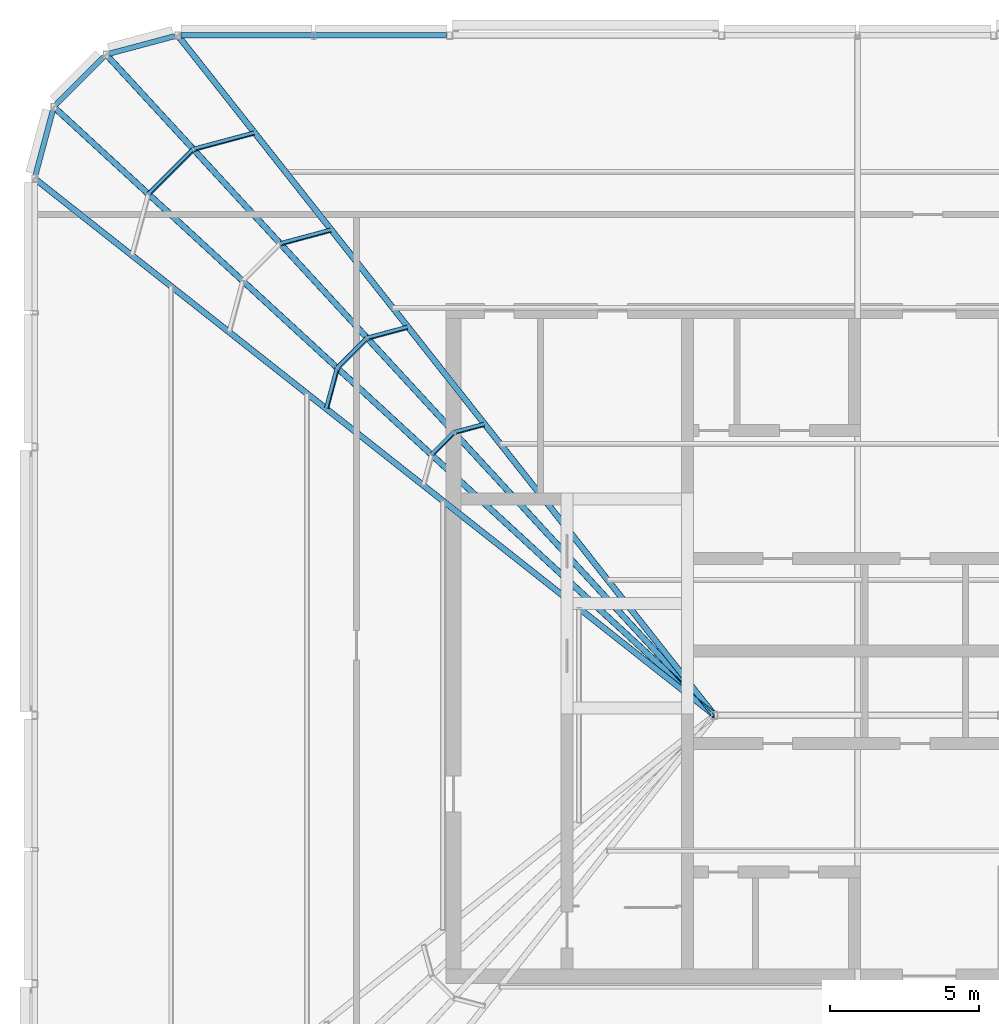
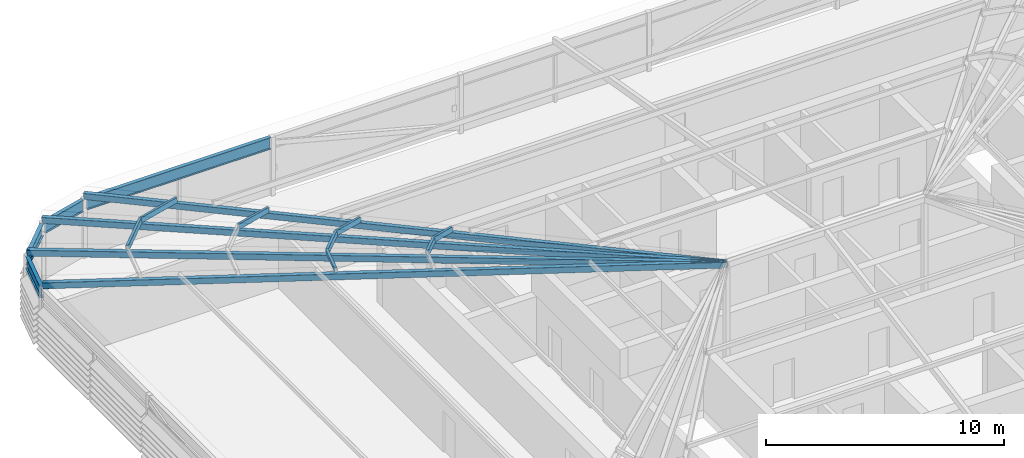
# One storey, part 15 of 46: 12 members, 4 beams.
"""IFC4 building model written with IfcOpenShell, lengths in metres."""

from ifc_helpers import new_model, si_unit, direction, frame, origin, origin_2d, place, context, subcontext, project, spatial, hollow_rectangle, i_section, extrude, material, material_profile, profile_set, type_object, element, save


model = new_model("IFC4")

# Units and contexts
model_context = context("Model", 3, precision=1e-05, world=origin(), true_north=direction((0.0, 1.0)))
body_context = subcontext(model_context, "Body", "Model", "MODEL_VIEW")
ifc_project = project(units=[si_unit("LENGTHUNIT", "METRE"), si_unit("AREAUNIT", "SQUARE_METRE"), si_unit("VOLUMEUNIT", "CUBIC_METRE"), si_unit("PLANEANGLEUNIT", "RADIAN"), si_unit("MASSUNIT", "GRAM", prefix="KILO")], contexts=[model_context])

# Site, building, storey
site_placement = place(None, origin())
site = spatial("IfcSite", under=ifc_project, at=site_placement, CompositionType="ELEMENT")
building_placement = place(site_placement, origin())
building = spatial("IfcBuilding", under=site, at=building_placement, Name="Madar Terraces", CompositionType="ELEMENT")
storey_placement = place(building_placement, frame((0.0, 0.0, 317.300048828125)))
storey = spatial("IfcBuildingStorey", under=building, at=storey_placement, Name="L82", CompositionType="ELEMENT", Elevation=317.300048828125)

# Beams
ifc_material_1 = material(Name="Steel ASTM A992 Grade 50", Category="steel")
ifc_material_profile_1 = material_profile(ifc_material_1, i_section(OverallWidth=0.1787109375, OverallDepth=0.60205078125, WebThickness=0.010986328125, FlangeThickness=0.014892578125, at=origin_2d()), Name="W24x62")
ifc_profile_set_1 = profile_set([ifc_material_profile_1], Name="Steel ASTM A992 Grade 50")
beam_type = type_object("IfcBeamType", Name="CF2 W24x62", PredefinedType="BEAM", material=ifc_profile_set_1)
beam_1_placement = place(storey_placement, frame((15.018310546875, 46.800048828125, 2.698974609375), z_axis=(-1.0, 0.0, 0.0), x_axis=(0.0, -1.0, 0.0)))
element("IfcBeam", 1, at=beam_1_placement, inside=storey, type_object=beam_type, Name="Crown frame ring beam CF2", PredefinedType="BEAM", context=body_context, shape_type="SweptSolid", body=[
    extrude(i_section(OverallWidth=0.1787109375, OverallDepth=0.60205078125, WebThickness=0.010986328125, FlangeThickness=0.014892578125, at=origin_2d()), origin(), (0.0, 0.0, 1.0), 8.916748046875),
])
beam_2_placement = place(storey_placement, frame((5.90185546875, 46.773681640625, 2.698974609375), z_axis=(-0.965912700012, -0.258868028067, 0.0), x_axis=(0.258868028067, -0.965912700012, 0.0)))
element("IfcBeam", 2, at=beam_2_placement, inside=storey, type_object=beam_type, Name="Crown frame ring beam CF2", PredefinedType="BEAM", context=body_context, shape_type="SweptSolid", body=[
    extrude(i_section(OverallWidth=0.1787109375, OverallDepth=0.60205078125, WebThickness=0.010986328125, FlangeThickness=0.014892578125, at=origin_2d()), origin(), (0.0, 0.0, 1.0), 2.281494140625),
])
beam_3_placement = place(storey_placement, frame((3.528076171875, 46.0849609375, 2.698974609375), z_axis=(-0.707106781187, -0.707106781187, 0.0), x_axis=(0.707106781187, -0.707106781187, 0.0)))
element("IfcBeam", 3, at=beam_3_placement, inside=storey, type_object=beam_type, Name="Crown frame ring beam CF2", PredefinedType="BEAM", context=body_context, shape_type="SweptSolid", body=[
    extrude(i_section(OverallWidth=0.1787109375, OverallDepth=0.60205078125, WebThickness=0.010986328125, FlangeThickness=0.014892578125, at=origin_2d()), origin(), (0.0, 0.0, 1.0), 2.28125),
])
beam_4_placement = place(storey_placement, frame((1.81689453125, 44.3017578125, 2.698974609375), z_axis=(-0.258868028067, -0.965912700012, 0.0), x_axis=(0.965912700012, -0.258868028067, 0.0)))
element("IfcBeam", 4, at=beam_4_placement, inside=storey, type_object=beam_type, Name="Crown frame ring beam CF2", PredefinedType="BEAM", context=body_context, shape_type="SweptSolid", body=[
    extrude(i_section(OverallWidth=0.1787109375, OverallDepth=0.60205078125, WebThickness=0.010986328125, FlangeThickness=0.014892578125, at=origin_2d()), origin(), (0.0, 0.0, 1.0), 2.281494140625),
])

# Members
ifc_material_2 = material(Name="Steel ASTM A500 Grade C", Category="steel")
ifc_material_profile_2 = material_profile(ifc_material_2, hollow_rectangle(XDim=0.203125, YDim=0.3046875, WallThickness=0.00634765625, InnerFilletRadius=0.0029296875, OuterFilletRadius=0.0087890625, at=origin_2d()), Name="HSS12x8x.25")
ifc_profile_set_2 = profile_set([ifc_material_profile_2], Name="Steel ASTM A500 Grade C")
member_type_1 = type_object("IfcMemberType", Name="CF3 HSS12x8x.25", PredefinedType="RAFTER", material=ifc_profile_set_2)
member_1_placement = place(storey_placement, frame((6.012939453125, 46.78369140625, 3.149169921875), z_axis=(0.613851215906, -0.777546538658, 0.136411381312), x_axis=(0.784883410926, 0.619643471081, 0.0)))
element("IfcMember", 5, at=member_1_placement, inside=storey, type_object=member_type_1, Name="Crown frame hip rafter 4", PredefinedType="RAFTER", context=body_context, shape_type="SweptSolid", body=[
    extrude(hollow_rectangle(XDim=0.203125, YDim=0.3046875, WallThickness=0.00634765625, InnerFilletRadius=0.0029296875, OuterFilletRadius=0.0087890625, at=origin_2d()), origin(), (0.0, 0.0, 1.0), 29.322998046875),
])
for number, where, z_axis, x_axis, name in (
    (6, (3.613525390625, 46.14208984375, 3.149169921875), (0.671447346666, -0.729263544314, 0.131655397118), (0.735667126126, 0.677343250898, 0.0), "Crown frame hip rafter 11"),
    (7, (1.85791015625, 44.386474609375, 3.149169921875), (0.729263544314, -0.671447346666, 0.131655397118), (0.677343250898, 0.735667126126, 0.0), "Crown frame hip rafter 12"),
):
    element("IfcMember", number, at=place(storey_placement, frame(where, z_axis=z_axis, x_axis=x_axis)), inside=storey, type_object=member_type_1, Name=name, PredefinedType="RAFTER", context=body_context, shape_type="SweptSolid", body=[
        extrude(hollow_rectangle(XDim=0.203125, YDim=0.3046875, WallThickness=0.00634765625, InnerFilletRadius=0.0029296875, OuterFilletRadius=0.0087890625, at=origin_2d()), origin(), (0.0, 0.0, 1.0), 30.38232421875),
    ])
member_2_placement = place(storey_placement, frame((1.21630859375, 41.987060546875, 3.149169921875), z_axis=(0.777546538658, -0.613851215906, 0.136411381312), x_axis=(0.619643471081, 0.784883410926, 0.0)))
element("IfcMember", 8, at=member_2_placement, inside=storey, type_object=member_type_1, Name="Crown frame hip rafter 13", PredefinedType="RAFTER", context=body_context, shape_type="SweptSolid", body=[
    extrude(hollow_rectangle(XDim=0.203125, YDim=0.3046875, WallThickness=0.00634765625, InnerFilletRadius=0.0029296875, OuterFilletRadius=0.0087890625, at=origin_2d()), origin(), (0.0, 0.0, 1.0), 29.322998046875),
])
ifc_material_3 = material(Name="Steel ASTM A500 Grade C", Category="steel")
ifc_material_profile_3 = material_profile(ifc_material_3, hollow_rectangle(XDim=0.126953125, YDim=0.25390625, WallThickness=0.00634765625, InnerFilletRadius=0.0029296875, OuterFilletRadius=0.0087890625, at=origin_2d()), Name="HSS10x5x.25")
ifc_profile_set_3 = profile_set([ifc_material_profile_3], Name="Steel ASTM A500 Grade C")
member_type_2 = type_object("IfcMemberType", Name="CF4 HSS10x5x.25", PredefinedType="PURLIN", material=ifc_profile_set_3)
member_3_placement = place(storey_placement, frame((8.575927734375, 43.5263671875, 3.999755859375), z_axis=(-0.965918371587, -0.258846864828, 0.0), x_axis=(0.256509391298, -0.9571958065, 0.13408624163)))
element("IfcMember", 9, at=member_3_placement, inside=storey, type_object=member_type_2, Name="Crown frame purlin 37", PredefinedType="PURLIN", context=body_context, shape_type="SweptSolid", body=[
    extrude(hollow_rectangle(XDim=0.126953125, YDim=0.25390625, WallThickness=0.00634765625, InnerFilletRadius=0.0029296875, OuterFilletRadius=0.0087890625, at=origin_2d()), origin(), (0.0, 0.0, 1.0), 2.129638671875),
])
member_4_placement = place(storey_placement, frame((11.147216796875, 40.269287109375, 4.5712890625), z_axis=(-0.965909979169, -0.258878180119, 0.0), x_axis=(0.256540423801, -0.957187489869, 0.13408624163)))
element("IfcMember", 10, at=member_4_placement, inside=storey, type_object=member_type_2, Name="Crown frame purlin 38", PredefinedType="PURLIN", context=body_context, shape_type="SweptSolid", body=[
    extrude(hollow_rectangle(XDim=0.126953125, YDim=0.25390625, WallThickness=0.00634765625, InnerFilletRadius=0.0029296875, OuterFilletRadius=0.0087890625, at=origin_2d()), origin(), (0.0, 0.0, 1.0), 1.77490234375),
])
member_5_placement = place(storey_placement, frame((13.71875, 37.01220703125, 5.142578125), z_axis=(-0.965897390407, -0.258925145951, 0.0), x_axis=(0.256586965516, -0.957175014787, 0.13408624163)))
element("IfcMember", 11, at=member_5_placement, inside=storey, type_object=member_type_2, Name="Crown frame purlin 39", PredefinedType="PURLIN", context=body_context, shape_type="SweptSolid", body=[
    extrude(hollow_rectangle(XDim=0.126953125, YDim=0.25390625, WallThickness=0.00634765625, InnerFilletRadius=0.0029296875, OuterFilletRadius=0.0087890625, at=origin_2d()), origin(), (0.0, 0.0, 1.0), 1.419921875),
])
member_6_placement = place(storey_placement, frame((16.2900390625, 33.7548828125, 5.714111328125), z_axis=(-0.965975674746, -0.258632936414, 0.0), x_axis=(0.256297394729, -0.957252592193, 0.13408624163)))
element("IfcMember", 12, at=member_6_placement, inside=storey, type_object=member_type_2, Name="Crown frame purlin 40", PredefinedType="PURLIN", context=body_context, shape_type="SweptSolid", body=[
    extrude(hollow_rectangle(XDim=0.126953125, YDim=0.25390625, WallThickness=0.00634765625, InnerFilletRadius=0.0029296875, OuterFilletRadius=0.0087890625, at=origin_2d()), origin(), (0.0, 0.0, 1.0), 1.064697265625),
])
member_7_placement = place(storey_placement, frame((6.526123046875, 42.979736328125, 3.999755859375), z_axis=(-0.707106781187, -0.707106781187, 0.0), x_axis=(0.700941463334, -0.700941463334, 0.131765435371)))
element("IfcMember", 13, at=member_7_placement, inside=storey, type_object=member_type_2, Name="Crown frame purlin 41", PredefinedType="PURLIN", context=body_context, shape_type="SweptSolid", body=[
    extrude(hollow_rectangle(XDim=0.126953125, YDim=0.25390625, WallThickness=0.00634765625, InnerFilletRadius=0.0029296875, OuterFilletRadius=0.0087890625, at=origin_2d()), origin(), (0.0, 0.0, 1.0), 2.129638671875),
])
member_8_placement = place(storey_placement, frame((12.354736328125, 36.649169921875, 5.142578125), z_axis=(-0.707106781187, -0.707106781187, 0.0), x_axis=(0.700941463334, -0.700941463334, 0.131765435371)))
element("IfcMember", 14, at=member_8_placement, inside=storey, type_object=member_type_2, Name="Crown frame purlin 43", PredefinedType="PURLIN", context=body_context, shape_type="SweptSolid", body=[
    extrude(hollow_rectangle(XDim=0.126953125, YDim=0.25390625, WallThickness=0.00634765625, InnerFilletRadius=0.0029296875, OuterFilletRadius=0.0087890625, at=origin_2d()), origin(), (0.0, 0.0, 1.0), 1.419677734375),
])
member_9_placement = place(storey_placement, frame((15.26904296875, 33.48388671875, 5.7138671875), z_axis=(-0.707106781187, -0.707106781187, 0.0), x_axis=(0.700941463334, -0.700941463334, 0.131765435371)))
element("IfcMember", 15, at=member_9_placement, inside=storey, type_object=member_type_2, Name="Crown frame purlin 44", PredefinedType="PURLIN", context=body_context, shape_type="SweptSolid", body=[
    extrude(hollow_rectangle(XDim=0.126953125, YDim=0.25390625, WallThickness=0.00634765625, InnerFilletRadius=0.0029296875, OuterFilletRadius=0.0087890625, at=origin_2d()), origin(), (0.0, 0.0, 1.0), 1.064697265625),
])
member_10_placement = place(storey_placement, frame((11.35546875, 35.65283203125, 5.142578125), z_axis=(-0.258925145951, -0.965897390407, 0.0), x_axis=(0.957175014787, -0.256586965516, 0.13408624163)))
element("IfcMember", 16, at=member_10_placement, inside=storey, type_object=member_type_2, Name="Crown frame purlin 47", PredefinedType="PURLIN", context=body_context, shape_type="SweptSolid", body=[
    extrude(hollow_rectangle(XDim=0.126953125, YDim=0.25390625, WallThickness=0.00634765625, InnerFilletRadius=0.0029296875, OuterFilletRadius=0.0087890625, at=origin_2d()), origin(), (0.0, 0.0, 1.0), 1.419921875),
])

save(model, "model.ifc")
